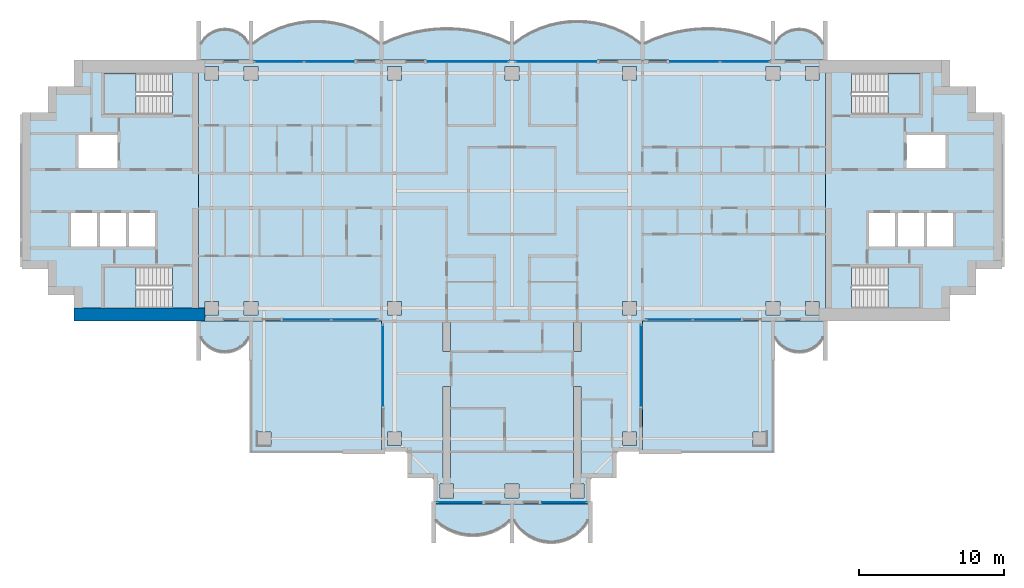
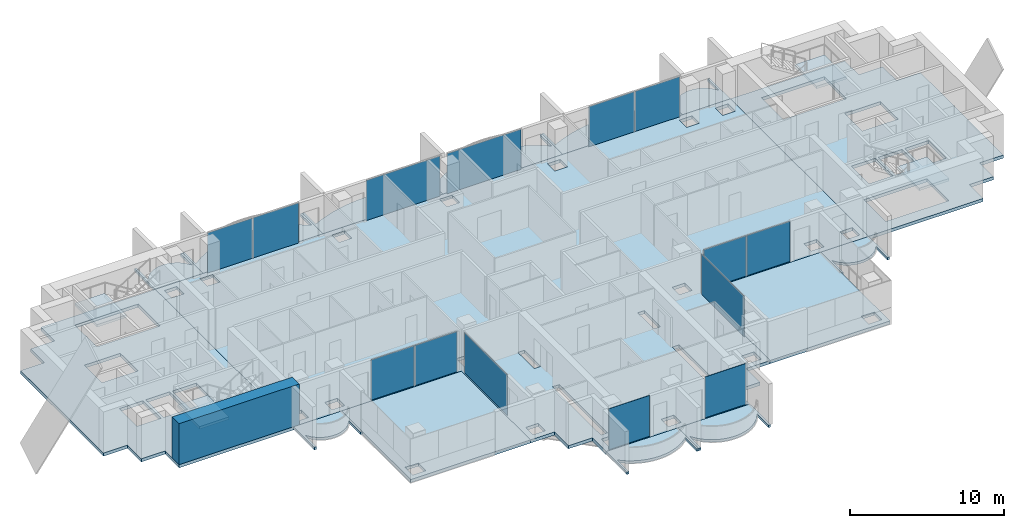
# One storey, part 7 of 17: 19 slabs, 14 plates, 1 wall, 14 elements without a shape of their own.
"""IFC4 building model written with IfcOpenShell, lengths in metres."""

from ifc_helpers import new_model, si_unit, direction, frame, frame_2d, origin, origin_2d, place, context, subcontext, project, spatial, polyline, rectangle, outline, extrude, material, layer, layer_set, type_object, element, aggregate, save


model = new_model("IFC4")

# Units and contexts
model_context = context("Model", 3, precision=1e-05, world=origin(), true_north=direction((0.0, 1.0)))
body_context = subcontext(model_context, "Body", "Model", "MODEL_VIEW")
ifc_project = project(units=[si_unit("LENGTHUNIT", "METRE"), si_unit("AREAUNIT", "SQUARE_METRE"), si_unit("VOLUMEUNIT", "CUBIC_METRE"), si_unit("PLANEANGLEUNIT", "RADIAN"), si_unit("MASSUNIT", "GRAM", prefix="KILO")], contexts=[model_context])

# Site, building, storey
site_placement = place(None, origin())
site = spatial("IfcSite", under=ifc_project, at=site_placement, CompositionType="ELEMENT")
building_placement = place(site_placement, origin())
building = spatial("IfcBuilding", under=site, at=building_placement, Name="Perihelion Cross Residences", CompositionType="ELEMENT")
storey_placement = place(building_placement, frame((0.0, 0.0, 191.10009765625)))
storey = spatial("IfcBuildingStorey", under=building, at=storey_placement, Name="L47", CompositionType="ELEMENT", Elevation=191.10009765625)

# Slabs
ifc_material_1 = material(Name="Concrete C40/50", Category="concrete")
ifc_layer_1 = layer(ifc_material_1, 0.199951171875)
ifc_layer_set_1 = layer_set([ifc_layer_1], Name="Balcony slab 200")
slab_type_1 = type_object("IfcSlabType", Name="Balcony slab 200", PredefinedType="FLOOR", material=ifc_layer_set_1)
slab_1_placement = place(storey_placement, frame((0.0, 0.0, -0.2001953125)))
element("IfcSlab", 1, at=slab_1_placement, inside=storey, type_object=slab_type_1, Name="Slab BK1 L47 east side north bay 1 balcony", PredefinedType="FLOOR", context=body_context, shape_type="SweptSolid", body=[
    extrude(outline(polyline([(21.60009765625, 9.0), (18.0, 9.0), (18.0, 11.699951171875), (18.14990234375, 11.699951171875), (18.14990234375, 10.199951171875), (18.425048828125, 10.568603515625), (18.699951171875, 10.806396484375), (18.97509765625, 10.96875), (19.25, 11.07568359375), (19.52490234375, 11.136962890625), (19.800048828125, 11.156982421875), (20.074951171875, 11.136962890625), (20.35009765625, 11.07568359375), (20.625, 10.96875), (20.89990234375, 10.806396484375), (21.175048828125, 10.568603515625), (21.449951171875, 10.199951171875), (21.449951171875, 11.699951171875), (21.60009765625, 11.699951171875), (21.60009765625, 9.0)])), origin(), (0.0, 0.0, 1.0), 0.2001953125),
])
slab_2_placement = place(storey_placement, frame((0.0, 0.0, -0.2001953125)))
element("IfcSlab", 2, at=slab_2_placement, inside=storey, type_object=slab_type_1, Name="Slab BK1 L47 east side north bay 2 balcony", PredefinedType="FLOOR", context=body_context, shape_type="SweptSolid", body=[
    extrude(outline(polyline([(18.0, 9.0), (9.0, 9.0), (9.0, 11.699951171875), (9.14990234375, 11.699951171875), (9.14990234375, 10.199951171875), (9.875, 10.51708984375), (10.60009765625, 10.7685546875), (11.324951171875, 10.959716796875), (12.050048828125, 11.093994140625), (12.77490234375, 11.173583984375), (13.5, 11.199951171875), (14.22509765625, 11.173583984375), (14.949951171875, 11.093994140625), (15.675048828125, 10.959716796875), (16.39990234375, 10.7685546875), (17.125, 10.51708984375), (17.85009765625, 10.199951171875), (17.85009765625, 11.699951171875), (18.0, 11.699951171875), (18.0, 9.0)])), origin(), (0.0, 0.0, 1.0), 0.2001953125),
])
slab_3_placement = place(storey_placement, frame((0.0, 0.0, -0.2001953125)))
element("IfcSlab", 3, at=slab_3_placement, inside=storey, type_object=slab_type_1, Name="Slab BK1 L47 north side east bay 1 balcony", PredefinedType="FLOOR", context=body_context, shape_type="SweptSolid", body=[
    extrude(outline(polyline([(9.0, 9.0), (0.0, 9.0), (0.0, 11.699951171875), (0.14990234375, 11.699951171875), (0.14990234375, 10.199951171875), (0.771484375, 10.634765625), (1.392822265625, 10.979248046875), (2.014404296875, 11.247802734375), (2.6357421875, 11.44921875), (3.257080078125, 11.589599609375), (3.878662109375, 11.672607421875), (4.5, 11.699951171875), (5.121337890625, 11.672607421875), (5.742919921875, 11.589599609375), (6.3642578125, 11.44921875), (6.985595703125, 11.247802734375), (7.607177734375, 10.979248046875), (8.228515625, 10.634765625), (8.85009765625, 10.199951171875), (8.85009765625, 11.699951171875), (9.0, 11.699951171875), (9.0, 9.0)])), origin(), (0.0, 0.0, 1.0), 0.2001953125),
])
slab_4_placement = place(storey_placement, frame((0.0, 0.0, -0.2001953125)))
element("IfcSlab", 4, at=slab_4_placement, inside=storey, type_object=slab_type_1, Name="Slab BK1 L47 north side east bay 2 balcony", PredefinedType="FLOOR", context=body_context, shape_type="SweptSolid", body=[
    extrude(outline(polyline([(0.0, 9.0), (-9.0, 9.0), (-9.0, 11.699951171875), (-8.85009765625, 11.699951171875), (-8.85009765625, 10.199951171875), (-8.125, 10.51708984375), (-7.39990234375, 10.7685546875), (-6.675048828125, 10.959716796875), (-5.949951171875, 11.093994140625), (-5.22509765625, 11.173583984375), (-4.5, 11.199951171875), (-3.77490234375, 11.173583984375), (-3.050048828125, 11.093994140625), (-2.324951171875, 10.959716796875), (-1.60009765625, 10.7685546875), (-0.875, 10.51708984375), (-0.14990234375, 10.199951171875), (-0.14990234375, 11.699951171875), (0.0, 11.699951171875), (0.0, 9.0)])), origin(), (0.0, 0.0, 1.0), 0.2001953125),
])
slab_5_placement = place(storey_placement, frame((0.0, 0.0, -0.2001953125)))
element("IfcSlab", 5, at=slab_5_placement, inside=storey, type_object=slab_type_1, Name="Slab BK1 L47 west side north bay 1 balcony", PredefinedType="FLOOR", context=body_context, shape_type="SweptSolid", body=[
    extrude(outline(polyline([(-9.0, 9.0), (-18.0, 9.0), (-18.0, 11.699951171875), (-17.85009765625, 11.699951171875), (-17.85009765625, 10.199951171875), (-17.228515625, 10.634765625), (-16.607177734375, 10.979248046875), (-15.985595703125, 11.247802734375), (-15.3642578125, 11.44921875), (-14.742919921875, 11.589599609375), (-14.121337890625, 11.672607421875), (-13.5, 11.699951171875), (-12.878662109375, 11.672607421875), (-12.257080078125, 11.589599609375), (-11.6357421875, 11.44921875), (-11.014404296875, 11.247802734375), (-10.392822265625, 10.979248046875), (-9.771484375, 10.634765625), (-9.14990234375, 10.199951171875), (-9.14990234375, 11.699951171875), (-9.0, 11.699951171875), (-9.0, 9.0)])), origin(), (0.0, 0.0, 1.0), 0.2001953125),
])
slab_6_placement = place(storey_placement, frame((0.0, 0.0, -0.2001953125)))
element("IfcSlab", 6, at=slab_6_placement, inside=storey, type_object=slab_type_1, Name="Slab BK1 L47 west side north bay 2 balcony", PredefinedType="FLOOR", context=body_context, shape_type="SweptSolid", body=[
    extrude(outline(polyline([(-18.0, 9.0), (-21.60009765625, 9.0), (-21.60009765625, 11.699951171875), (-21.449951171875, 11.699951171875), (-21.449951171875, 10.199951171875), (-21.175048828125, 10.568603515625), (-20.89990234375, 10.806396484375), (-20.625, 10.96875), (-20.35009765625, 11.07568359375), (-20.074951171875, 11.136962890625), (-19.800048828125, 11.156982421875), (-19.52490234375, 11.136962890625), (-19.25, 11.07568359375), (-18.97509765625, 10.96875), (-18.699951171875, 10.806396484375), (-18.425048828125, 10.568603515625), (-18.14990234375, 10.199951171875), (-18.14990234375, 11.699951171875), (-18.0, 11.699951171875), (-18.0, 9.0)])), origin(), (0.0, 0.0, 1.0), 0.2001953125),
])
slab_7_placement = place(storey_placement, frame((0.0, 0.0, -0.2001953125)))
element("IfcSlab", 7, at=slab_7_placement, inside=storey, type_object=slab_type_1, Name="Slab BK1 L47 west side south bay 1 balcony", PredefinedType="FLOOR", context=body_context, shape_type="SweptSolid", body=[
    extrude(outline(polyline([(-21.60009765625, -9.0), (-18.0, -9.0), (-18.0, -11.699951171875), (-18.14990234375, -11.699951171875), (-18.14990234375, -10.199951171875), (-18.425048828125, -10.568603515625), (-18.699951171875, -10.806396484375), (-18.97509765625, -10.96875), (-19.25, -11.07568359375), (-19.52490234375, -11.136962890625), (-19.800048828125, -11.156982421875), (-20.074951171875, -11.136962890625), (-20.35009765625, -11.07568359375), (-20.625, -10.96875), (-20.89990234375, -10.806396484375), (-21.175048828125, -10.568603515625), (-21.449951171875, -10.199951171875), (-21.449951171875, -11.699951171875), (-21.60009765625, -11.699951171875), (-21.60009765625, -9.0)])), origin(), (0.0, 0.0, 1.0), 0.2001953125),
])
slab_8_placement = place(storey_placement, frame((0.0, 0.0, -0.2001953125)))
element("IfcSlab", 8, at=slab_8_placement, inside=storey, type_object=slab_type_1, Name="Slab BK1 L47 south tip south bay 1 balcony", PredefinedType="FLOOR", context=body_context, shape_type="SweptSolid", body=[
    extrude(outline(polyline([(-5.39990234375, -21.60009765625), (0.0, -21.60009765625), (0.0, -24.300048828125), (-0.14990234375, -24.300048828125), (-0.14990234375, -22.800048828125), (-0.574951171875, -23.14013671875), (-1.0, -23.392578125), (-1.425048828125, -23.57666015625), (-1.85009765625, -23.702392578125), (-2.27490234375, -23.77587890625), (-2.699951171875, -23.800048828125), (-3.125, -23.77587890625), (-3.550048828125, -23.702392578125), (-3.97509765625, -23.57666015625), (-4.39990234375, -23.392578125), (-4.824951171875, -23.14013671875), (-5.25, -22.800048828125), (-5.25, -24.300048828125), (-5.39990234375, -24.300048828125), (-5.39990234375, -21.60009765625)])), origin(), (0.0, 0.0, 1.0), 0.2001953125),
])
slab_9_placement = place(storey_placement, frame((0.0, 0.0, -0.2001953125)))
element("IfcSlab", 9, at=slab_9_placement, inside=storey, type_object=slab_type_1, Name="Slab BK1 L47 south tip south bay 2 balcony", PredefinedType="FLOOR", context=body_context, shape_type="SweptSolid", body=[
    extrude(outline(polyline([(0.0, -21.60009765625), (5.39990234375, -21.60009765625), (5.39990234375, -24.300048828125), (5.25, -24.300048828125), (5.25, -22.800048828125), (4.909912109375, -23.27685546875), (4.570068359375, -23.60693359375), (4.22998046875, -23.84912109375), (3.889892578125, -24.027099609375), (3.550048828125, -24.1533203125), (3.2099609375, -24.234375), (2.8701171875, -24.274169921875), (2.530029296875, -24.274169921875), (2.18994140625, -24.234375), (1.85009765625, -24.1533203125), (1.510009765625, -24.027099609375), (1.169921875, -23.84912109375), (0.830078125, -23.60693359375), (0.489990234375, -23.27685546875), (0.14990234375, -22.800048828125), (0.14990234375, -24.300048828125), (0.0, -24.300048828125), (0.0, -21.60009765625)])), origin(), (0.0, 0.0, 1.0), 0.2001953125),
])
slab_10_placement = place(storey_placement, frame((0.0, 0.0, -0.2001953125)))
element("IfcSlab", 10, at=slab_10_placement, inside=storey, type_object=slab_type_1, Name="Slab BK1 L47 east side south bay 2 balcony", PredefinedType="FLOOR", context=body_context, shape_type="SweptSolid", body=[
    extrude(outline(polyline([(18.0, -9.0), (21.60009765625, -9.0), (21.60009765625, -11.699951171875), (21.449951171875, -11.699951171875), (21.449951171875, -10.199951171875), (21.175048828125, -10.568603515625), (20.89990234375, -10.806396484375), (20.625, -10.96875), (20.35009765625, -11.07568359375), (20.074951171875, -11.136962890625), (19.800048828125, -11.156982421875), (19.52490234375, -11.136962890625), (19.25, -11.07568359375), (18.97509765625, -10.96875), (18.699951171875, -10.806396484375), (18.425048828125, -10.568603515625), (18.14990234375, -10.199951171875), (18.14990234375, -11.699951171875), (18.0, -11.699951171875), (18.0, -9.0)])), origin(), (0.0, 0.0, 1.0), 0.2001953125),
])

# Curtain wall, plates
ifc_material_2 = material(Name="Bronze anodised aluminium, tinted glazing", Category="aluminium")
curtain_wall_type = type_object("IfcCurtainWallType", Name="CW1", PredefinedType="NOTDEFINED", material=ifc_material_2)
curtain_wall_1_placement = place(storey_placement, origin())
curtain_wall_1 = element("IfcCurtainWall", 11, at=curtain_wall_1_placement, inside=storey, type_object=curtain_wall_type, Name="Curtain wall CW1 L47 east side north bay 2", PredefinedType="NOTDEFINED")
ifc_material_3 = material(Name="Tinted laminated glass", Category="glass")
ifc_layer_2 = layer(ifc_material_3, 0.028076171875)
ifc_layer_set_2 = layer_set([ifc_layer_2], Name="CW1 panel")
plate_type = type_object("IfcPlateType", Name="CW1 panel", PredefinedType="CURTAIN_PANEL", material=ifc_layer_set_2)
plate_1_placement = place(storey_placement, frame((16.06005859375, 8.89990234375, 0.0), z_axis=(0.0, 0.0, 1.0), x_axis=(-1.0, 0.0, 0.0)))
plate_1 = element("IfcPlate", 12, at=plate_1_placement, type_object=plate_type, Name="CW1 panel 1", PredefinedType="CURTAIN_PANEL", context=body_context, shape_type="SweptSolid", body=[
    extrude(rectangle(XDim=3.360107421875, YDim=0.028076171875, at=origin_2d()), origin(), (0.0, 0.0, 1.0), 3.18994140625),
])
plate_2_placement = place(storey_placement, frame((12.610107421875, 8.89990234375, 0.0), z_axis=(0.0, 0.0, 1.0), x_axis=(-1.0, 0.0, 0.0)))
plate_2 = element("IfcPlate", 13, at=plate_2_placement, type_object=plate_type, Name="CW1 panel 2", PredefinedType="CURTAIN_PANEL", context=body_context, shape_type="SweptSolid", body=[
    extrude(rectangle(XDim=3.419921875, YDim=0.028076171875, at=origin_2d()), origin(), (0.0, 0.0, 1.0), 3.18994140625),
])
aggregate(curtain_wall_1, [plate_1, plate_2])

# Curtain wall, plate
curtain_wall_2_placement = place(storey_placement, origin())
curtain_wall_2 = element("IfcCurtainWall", 14, at=curtain_wall_2_placement, inside=storey, type_object=curtain_wall_type, Name="Curtain wall CW1 L47 north side east bay 1", PredefinedType="NOTDEFINED")
plate_3_placement = place(storey_placement, frame((3.04248046875, 8.89990234375, 0.0), z_axis=(0.0, 0.0, 1.0), x_axis=(-1.0, 0.0, 0.0)))
plate_3 = element("IfcPlate", 15, at=plate_3_placement, type_object=plate_type, Name="CW1 panel 1", PredefinedType="CURTAIN_PANEL", context=body_context, shape_type="SweptSolid", body=[
    extrude(rectangle(XDim=5.56494140625, YDim=0.028076171875, at=origin_2d()), origin(), (0.0, 0.0, 1.0), 3.18994140625),
])
aggregate(curtain_wall_2, [plate_3])

curtain_wall_3_placement = place(storey_placement, origin())
curtain_wall_3 = element("IfcCurtainWall", 16, at=curtain_wall_3_placement, inside=storey, type_object=curtain_wall_type, Name="Curtain wall CW1 L47 north side east bay 2", PredefinedType="NOTDEFINED")
plate_4_placement = place(storey_placement, frame((-3.04248046875, 8.89990234375, 0.0), z_axis=(0.0, 0.0, 1.0), x_axis=(-1.0, 0.0, 0.0)))
plate_4 = element("IfcPlate", 17, at=plate_4_placement, type_object=plate_type, Name="CW1 panel 1", PredefinedType="CURTAIN_PANEL", context=body_context, shape_type="SweptSolid", body=[
    extrude(rectangle(XDim=5.56494140625, YDim=0.028076171875, at=origin_2d()), origin(), (0.0, 0.0, 1.0), 3.18994140625),
])
aggregate(curtain_wall_3, [plate_4])

# Curtain wall, plates
curtain_wall_4_placement = place(storey_placement, origin())
curtain_wall_4 = element("IfcCurtainWall", 18, at=curtain_wall_4_placement, inside=storey, type_object=curtain_wall_type, Name="Curtain wall CW1 L47 west side north bay 1", PredefinedType="NOTDEFINED")
plate_5_placement = place(storey_placement, frame((-12.610107421875, 8.89990234375, 0.0), z_axis=(0.0, 0.0, 1.0), x_axis=(-1.0, 0.0, 0.0)))
plate_5 = element("IfcPlate", 19, at=plate_5_placement, type_object=plate_type, Name="CW1 panel 1", PredefinedType="CURTAIN_PANEL", context=body_context, shape_type="SweptSolid", body=[
    extrude(rectangle(XDim=3.419921875, YDim=0.028076171875, at=origin_2d()), origin(), (0.0, 0.0, 1.0), 3.18994140625),
])
plate_6_placement = place(storey_placement, frame((-16.06005859375, 8.89990234375, 0.0), z_axis=(0.0, 0.0, 1.0), x_axis=(-1.0, 0.0, 0.0)))
plate_6 = element("IfcPlate", 20, at=plate_6_placement, type_object=plate_type, Name="CW1 panel 2", PredefinedType="CURTAIN_PANEL", context=body_context, shape_type="SweptSolid", body=[
    extrude(rectangle(XDim=3.360107421875, YDim=0.028076171875, at=origin_2d()), origin(), (0.0, 0.0, 1.0), 3.18994140625),
])
aggregate(curtain_wall_4, [plate_5, plate_6])

curtain_wall_5_placement = place(storey_placement, origin())
curtain_wall_5 = element("IfcCurtainWall", 21, at=curtain_wall_5_placement, inside=storey, type_object=curtain_wall_type, Name="Curtain wall CW1 L47 west side south bay 2", PredefinedType="NOTDEFINED")
plate_7_placement = place(storey_placement, frame((-14.108642578125, -8.89990234375, 0.0), z_axis=(0.0, 0.0, 1.0), x_axis=(1.0, 0.0, 0.0)))
plate_7 = element("IfcPlate", 22, at=plate_7_placement, type_object=plate_type, Name="CW1 panel 1", PredefinedType="CURTAIN_PANEL", context=body_context, shape_type="SweptSolid", body=[
    extrude(rectangle(XDim=3.232421875, YDim=0.028076171875, at=origin_2d()), origin(), (0.0, 0.0, 1.0), 3.18994140625),
])
plate_8_placement = place(storey_placement, frame((-10.84619140625, -8.89990234375, 0.0), z_axis=(0.0, 0.0, 1.0), x_axis=(1.0, 0.0, 0.0)))
plate_8 = element("IfcPlate", 23, at=plate_8_placement, type_object=plate_type, Name="CW1 panel 2", PredefinedType="CURTAIN_PANEL", context=body_context, shape_type="SweptSolid", body=[
    extrude(rectangle(XDim=3.172607421875, YDim=0.028076171875, at=origin_2d()), origin(), (0.0, 0.0, 1.0), 3.18994140625),
])
aggregate(curtain_wall_5, [plate_7, plate_8])

# Curtain wall, plate
curtain_wall_6_placement = place(storey_placement, origin())
curtain_wall_6 = element("IfcCurtainWall", 24, at=curtain_wall_6_placement, inside=storey, type_object=curtain_wall_type, Name="Curtain wall CW1 L47 south side west bay 1", PredefinedType="NOTDEFINED")
plate_9_placement = place(storey_placement, frame((-8.89990234375, -12.04248046875, 0.0), z_axis=(0.0, 0.0, 1.0), x_axis=(0.0, -1.0, 0.0)))
plate_9 = element("IfcPlate", 25, at=plate_9_placement, type_object=plate_type, Name="CW1 panel 1", PredefinedType="CURTAIN_PANEL", context=body_context, shape_type="SweptSolid", body=[
    extrude(rectangle(XDim=5.56494140625, YDim=0.028076171875, at=origin_2d()), origin(), (0.0, 0.0, 1.0), 3.18994140625),
])
aggregate(curtain_wall_6, [plate_9])

curtain_wall_7_placement = place(storey_placement, origin())
curtain_wall_7 = element("IfcCurtainWall", 26, at=curtain_wall_7_placement, inside=storey, type_object=curtain_wall_type, Name="Curtain wall CW1 L47 south tip south bay 1", PredefinedType="NOTDEFINED")
plate_10_placement = place(storey_placement, frame((-3.607421875, -21.5, 0.0), z_axis=(0.0, 0.0, 1.0), x_axis=(1.0, 0.0, 0.0)))
plate_10 = element("IfcPlate", 27, at=plate_10_placement, type_object=plate_type, Name="CW1 panel 1", PredefinedType="CURTAIN_PANEL", context=body_context, shape_type="SweptSolid", body=[
    extrude(rectangle(XDim=3.06494140625, YDim=0.028076171875, at=origin_2d()), origin(), (0.0, 0.0, 1.0), 3.25),
])
aggregate(curtain_wall_7, [plate_10])

curtain_wall_8_placement = place(storey_placement, origin())
curtain_wall_8 = element("IfcCurtainWall", 28, at=curtain_wall_8_placement, inside=storey, type_object=curtain_wall_type, Name="Curtain wall CW1 L47 south tip south bay 2", PredefinedType="NOTDEFINED")
plate_11_placement = place(storey_placement, frame((3.607421875, -21.5, 0.0), z_axis=(0.0, 0.0, 1.0), x_axis=(1.0, 0.0, 0.0)))
plate_11 = element("IfcPlate", 29, at=plate_11_placement, type_object=plate_type, Name="CW1 panel 1", PredefinedType="CURTAIN_PANEL", context=body_context, shape_type="SweptSolid", body=[
    extrude(rectangle(XDim=3.06494140625, YDim=0.028076171875, at=origin_2d()), origin(), (0.0, 0.0, 1.0), 3.25),
])
aggregate(curtain_wall_8, [plate_11])

curtain_wall_9_placement = place(storey_placement, origin())
curtain_wall_9 = element("IfcCurtainWall", 30, at=curtain_wall_9_placement, inside=storey, type_object=curtain_wall_type, Name="Curtain wall CW1 L47 south side east bay 1", PredefinedType="NOTDEFINED")
plate_12_placement = place(storey_placement, frame((8.89990234375, -12.04248046875, 0.0), z_axis=(0.0, 0.0, 1.0), x_axis=(0.0, 1.0, 0.0)))
plate_12 = element("IfcPlate", 31, at=plate_12_placement, type_object=plate_type, Name="CW1 panel 1", PredefinedType="CURTAIN_PANEL", context=body_context, shape_type="SweptSolid", body=[
    extrude(rectangle(XDim=5.56494140625, YDim=0.028076171875, at=origin_2d()), origin(), (0.0, 0.0, 1.0), 3.18994140625),
])
aggregate(curtain_wall_9, [plate_12])

# Curtain wall, plates
curtain_wall_10_placement = place(storey_placement, origin())
curtain_wall_10 = element("IfcCurtainWall", 32, at=curtain_wall_10_placement, inside=storey, type_object=curtain_wall_type, Name="Curtain wall CW1 L47 east side south bay 1", PredefinedType="NOTDEFINED")
plate_13_placement = place(storey_placement, frame((10.84619140625, -8.89990234375, 0.0), z_axis=(0.0, 0.0, 1.0), x_axis=(1.0, 0.0, 0.0)))
plate_13 = element("IfcPlate", 33, at=plate_13_placement, type_object=plate_type, Name="CW1 panel 1", PredefinedType="CURTAIN_PANEL", context=body_context, shape_type="SweptSolid", body=[
    extrude(rectangle(XDim=3.172607421875, YDim=0.028076171875, at=origin_2d()), origin(), (0.0, 0.0, 1.0), 3.18994140625),
])
plate_14_placement = place(storey_placement, frame((14.108642578125, -8.89990234375, 0.0), z_axis=(0.0, 0.0, 1.0), x_axis=(1.0, 0.0, 0.0)))
plate_14 = element("IfcPlate", 34, at=plate_14_placement, type_object=plate_type, Name="CW1 panel 2", PredefinedType="CURTAIN_PANEL", context=body_context, shape_type="SweptSolid", body=[
    extrude(rectangle(XDim=3.232421875, YDim=0.028076171875, at=origin_2d()), origin(), (0.0, 0.0, 1.0), 3.18994140625),
])
aggregate(curtain_wall_10, [plate_13, plate_14])

# Slabs
ifc_material_4 = material(Name="Concrete C40/50", Category="concrete")
ifc_layer_3 = layer(ifc_material_4, 0.25)
ifc_layer_set_3 = layer_set([ifc_layer_3], Name="Core floor slab 250")
slab_type_2 = type_object("IfcSlabType", Name="Core floor slab 250", PredefinedType="FLOOR", material=ifc_layer_set_3)
slab_11_placement = place(storey_placement, frame((0.0, 0.0, -0.25)))
element("IfcSlab", 35, at=slab_11_placement, inside=storey, type_object=slab_type_2, Name="East core floor slab", PredefinedType="FLOOR", context=body_context, shape_type="SweptSolid", body=[
    extrude(outline(polyline([(30.199951171875, 7.199951171875), (32.0, 7.199951171875), (32.0, 5.39990234375), (33.800048828125, 5.39990234375), (33.800048828125, -5.39990234375), (32.0, -5.39990234375), (32.0, -7.199951171875), (30.199951171875, -7.199951171875), (30.199951171875, -9.0), (21.60009765625, -9.0), (21.60009765625, 9.0), (30.199951171875, 9.0), (30.199951171875, 7.199951171875)]), holes=[polyline([(28.14990234375, -8.10009765625), (28.14990234375, -5.25), (23.405029296875, -5.25), (23.405029296875, -8.10009765625), (28.14990234375, -8.10009765625)]), polyline([(24.60009765625, -1.550048828125), (24.60009765625, -3.85009765625), (26.39990234375, -3.85009765625), (26.39990234375, -1.550048828125), (24.60009765625, -1.550048828125)]), polyline([(26.60009765625, -1.550048828125), (26.60009765625, -3.85009765625), (28.39990234375, -3.85009765625), (28.39990234375, -1.550048828125), (26.60009765625, -1.550048828125)]), polyline([(28.60009765625, -3.85009765625), (30.39990234375, -3.85009765625), (30.39990234375, -1.550048828125), (28.60009765625, -1.550048828125), (28.60009765625, -3.85009765625)]), polyline([(27.199951171875, 3.85009765625), (27.199951171875, 1.550048828125), (29.89990234375, 1.550048828125), (29.89990234375, 3.85009765625), (27.199951171875, 3.85009765625)]), polyline([(23.405029296875, 5.25), (28.14990234375, 5.25), (28.14990234375, 8.10009765625), (23.405029296875, 8.10009765625), (23.405029296875, 5.25)])]), origin(), (0.0, 0.0, 1.0), 0.25),
])
slab_12_placement = place(storey_placement, frame((0.0, 0.0, -0.25)))
element("IfcSlab", 36, at=slab_12_placement, inside=storey, type_object=slab_type_2, Name="West core floor slab", PredefinedType="FLOOR", context=body_context, shape_type="SweptSolid", body=[
    extrude(outline(polyline([(-30.199951171875, 7.199951171875), (-32.0, 7.199951171875), (-32.0, 5.39990234375), (-33.800048828125, 5.39990234375), (-33.800048828125, -5.39990234375), (-32.0, -5.39990234375), (-32.0, -7.199951171875), (-30.199951171875, -7.199951171875), (-30.199951171875, -9.0), (-21.60009765625, -9.0), (-21.60009765625, 9.0), (-30.199951171875, 9.0), (-30.199951171875, 7.199951171875)]), holes=[polyline([(-28.14990234375, -8.10009765625), (-28.14990234375, -5.25), (-23.405029296875, -5.25), (-23.405029296875, -8.10009765625), (-28.14990234375, -8.10009765625)]), polyline([(-24.60009765625, -1.550048828125), (-24.60009765625, -3.85009765625), (-26.39990234375, -3.85009765625), (-26.39990234375, -1.550048828125), (-24.60009765625, -1.550048828125)]), polyline([(-26.60009765625, -1.550048828125), (-26.60009765625, -3.85009765625), (-28.39990234375, -3.85009765625), (-28.39990234375, -1.550048828125), (-26.60009765625, -1.550048828125)]), polyline([(-28.60009765625, -3.85009765625), (-30.39990234375, -3.85009765625), (-30.39990234375, -1.550048828125), (-28.60009765625, -1.550048828125), (-28.60009765625, -3.85009765625)]), polyline([(-27.199951171875, 3.85009765625), (-27.199951171875, 1.550048828125), (-29.89990234375, 1.550048828125), (-29.89990234375, 3.85009765625), (-27.199951171875, 3.85009765625)]), polyline([(-23.405029296875, 5.25), (-28.14990234375, 5.25), (-28.14990234375, 8.10009765625), (-23.405029296875, 8.10009765625), (-23.405029296875, 5.25)])]), origin(), (0.0, 0.0, 1.0), 0.25),
])
ifc_material_5 = material(Name="Concrete C40/50", Category="concrete")
ifc_layer_4 = layer(ifc_material_5, 0.25)
ifc_layer_set_4 = layer_set([ifc_layer_4], Name="Corner terrace slab")
slab_type_3 = type_object("IfcSlabType", Name="Corner terrace slab", PredefinedType="FLOOR", material=ifc_layer_set_4)
slab_13_placement = place(storey_placement, frame((0.0, 0.0, -0.25)))
element("IfcSlab", 37, at=slab_13_placement, inside=storey, type_object=slab_type_3, Name="Slab BK2 L47 pocket south-west", PredefinedType="FLOOR", context=body_context, shape_type="SweptSolid", body=[
    extrude(outline(polyline([(-9.0, -18.0), (-9.0, -9.0), (-18.0, -9.0), (-18.0, -18.0), (-9.0, -18.0)]), holes=[polyline([(-16.625, -17.614990234375), (-17.614990234375, -17.614990234375), (-17.614990234375, -16.5849609375), (-17.574951171875, -16.5849609375), (-17.574951171875, -16.625), (-16.625, -16.625), (-16.625, -17.614990234375)])]), origin(), (0.0, 0.0, 1.0), 0.25),
])
slab_14_placement = place(storey_placement, frame((0.0, 0.0, -0.25)))
element("IfcSlab", 38, at=slab_14_placement, inside=storey, type_object=slab_type_3, Name="Slab BK2 L47 pocket south-east", PredefinedType="FLOOR", context=body_context, shape_type="SweptSolid", body=[
    extrude(outline(polyline([(18.0, -18.0), (18.0, -9.0), (9.0, -9.0), (9.0, -18.0), (18.0, -18.0)]), holes=[polyline([(16.625, -17.614990234375), (16.625, -16.625), (17.574951171875, -16.625), (17.574951171875, -16.5849609375), (17.614990234375, -16.5849609375), (17.614990234375, -17.614990234375), (16.625, -17.614990234375)])]), origin(), (0.0, 0.0, 1.0), 0.25),
])

# Stair, slab
ifc_material_6 = material(Name="Concrete C40/50", Category="concrete")
stair_type = type_object("IfcStairType", Name="Exit stair, half-turn", PredefinedType="HALF_TURN_STAIR", material=ifc_material_6)
stair_1_placement = place(storey_placement, origin())
stair_1 = element("IfcStair", 39, at=stair_1_placement, inside=storey, type_object=stair_type, Name="L47 East core exit stair 1", PredefinedType="HALF_TURN_STAIR")
ifc_material_7 = material(Name="Concrete C40/50", Category="concrete")
ifc_layer_5 = layer(ifc_material_7, 0.199951171875)
ifc_layer_set_5 = layer_set([ifc_layer_5], Name="Exit stair landing 200")
slab_type_4 = type_object("IfcSlabType", Name="Exit stair landing 200", PredefinedType="LANDING", material=ifc_layer_set_5)
slab_15_placement = place(storey_placement, frame((0.0, 0.0, 1.5498046875)))
slab_15 = element("IfcSlab", 40, at=slab_15_placement, type_object=slab_type_4, Name="ST-E1 landing 1", PredefinedType="LANDING", context=body_context, shape_type="SweptSolid", body=[
    extrude(outline(polyline([(25.919921875, 5.25), (28.14990234375, 5.25), (28.14990234375, 8.10009765625), (25.919921875, 8.10009765625), (25.919921875, 5.25)])), origin(), (0.0, 0.0, 1.0), 0.2001953125),
])
aggregate(stair_1, [slab_15])

stair_2_placement = place(storey_placement, origin())
stair_2 = element("IfcStair", 41, at=stair_2_placement, inside=storey, type_object=stair_type, Name="L47 East core exit stair 2", PredefinedType="HALF_TURN_STAIR")
slab_16_placement = place(storey_placement, frame((0.0, 0.0, 1.5498046875)))
slab_16 = element("IfcSlab", 42, at=slab_16_placement, type_object=slab_type_4, Name="ST-E2 landing 1", PredefinedType="LANDING", context=body_context, shape_type="SweptSolid", body=[
    extrude(outline(polyline([(25.919921875, -8.10009765625), (28.14990234375, -8.10009765625), (28.14990234375, -5.25), (25.919921875, -5.25), (25.919921875, -8.10009765625)])), origin(), (0.0, 0.0, 1.0), 0.2001953125),
])
aggregate(stair_2, [slab_16])

stair_3_placement = place(storey_placement, origin())
stair_3 = element("IfcStair", 43, at=stair_3_placement, inside=storey, type_object=stair_type, Name="L47 West core exit stair 1", PredefinedType="HALF_TURN_STAIR")
slab_17_placement = place(storey_placement, frame((0.0, 0.0, 1.5498046875)))
slab_17 = element("IfcSlab", 44, at=slab_17_placement, type_object=slab_type_4, Name="ST-W1 landing 1", PredefinedType="LANDING", context=body_context, shape_type="SweptSolid", body=[
    extrude(outline(polyline([(-25.919921875, 8.10009765625), (-28.14990234375, 8.10009765625), (-28.14990234375, 5.25), (-25.919921875, 5.25), (-25.919921875, 8.10009765625)])), origin(), (0.0, 0.0, 1.0), 0.2001953125),
])
aggregate(stair_3, [slab_17])

stair_4_placement = place(storey_placement, origin())
stair_4 = element("IfcStair", 45, at=stair_4_placement, inside=storey, type_object=stair_type, Name="L47 West core exit stair 2", PredefinedType="HALF_TURN_STAIR")
slab_18_placement = place(storey_placement, frame((0.0, 0.0, 1.5498046875)))
slab_18 = element("IfcSlab", 46, at=slab_18_placement, type_object=slab_type_4, Name="ST-W2 landing 1", PredefinedType="LANDING", context=body_context, shape_type="SweptSolid", body=[
    extrude(outline(polyline([(-25.919921875, -5.25), (-28.14990234375, -5.25), (-28.14990234375, -8.10009765625), (-25.919921875, -8.10009765625), (-25.919921875, -5.25)])), origin(), (0.0, 0.0, 1.0), 0.2001953125),
])
aggregate(stair_4, [slab_18])

# Slab
ifc_material_8 = material(Name="Concrete C50/60", Category="concrete")
ifc_layer_6 = layer(ifc_material_8, 0.25)
ifc_layer_set_6 = layer_set([ifc_layer_6], Name="Residential floor post-tensioned slab concrete C50/60")
slab_type_5 = type_object("IfcSlabType", Name="Residential floor post-tensioned slab concrete C50/60", PredefinedType="FLOOR", material=ifc_layer_set_6)
slab_19_placement = place(storey_placement, frame((0.0, 0.0, -0.25)))
element("IfcSlab", 47, at=slab_19_placement, inside=storey, type_object=slab_type_5, Name="Slab SL8 L47 1 no. 1", PredefinedType="FLOOR", context=body_context, shape_type="SweptSolid", body=[
    extrude(outline(polyline([(-9.0, 9.0), (9.0, 9.0), (21.60009765625, 9.0), (21.60009765625, -9.0), (9.0, -9.0), (9.0, -18.0), (7.199951171875, -18.0), (7.199951171875, -19.800048828125), (5.39990234375, -19.800048828125), (5.39990234375, -21.60009765625), (-5.39990234375, -21.60009765625), (-5.39990234375, -19.800048828125), (-7.199951171875, -19.800048828125), (-7.199951171875, -18.0), (-9.0, -18.0), (-9.0, -9.0), (-21.60009765625, -9.0), (-21.60009765625, 9.0), (-9.0, 9.0)]), holes=[polyline([(-4.02490234375, -20.22509765625), (-4.97509765625, -20.22509765625), (-4.97509765625, -21.175048828125), (-4.02490234375, -21.175048828125), (-4.02490234375, -20.22509765625)]), polyline([(0.47509765625, -21.175048828125), (0.47509765625, -20.22509765625), (-0.47509765625, -20.22509765625), (-0.47509765625, -21.175048828125), (0.47509765625, -21.175048828125)]), polyline([(-7.625, -17.574951171875), (-7.625, -16.625), (-8.574951171875, -16.625), (-8.574951171875, -17.574951171875), (-7.625, -17.574951171875)]), polyline([(-4.25, -13.5), (-4.75, -13.5), (-4.75, -19.800048828125), (-4.25, -19.800048828125), (-4.25, -13.5)]), polyline([(-4.25, -11.10009765625), (-4.25, -9.0), (-4.75, -9.0), (-4.75, -11.10009765625), (-4.25, -11.10009765625)]), polyline([(-20.22509765625, -8.574951171875), (-20.22509765625, -7.625), (-21.175048828125, -7.625), (-21.175048828125, -8.574951171875), (-20.22509765625, -8.574951171875)]), polyline([(-17.52490234375, -7.625), (-18.47509765625, -7.625), (-18.47509765625, -8.574951171875), (-17.52490234375, -8.574951171875), (-17.52490234375, -7.625)]), polyline([(-7.625, -8.574951171875), (-7.625, -7.625), (-8.574951171875, -7.625), (-8.574951171875, -8.574951171875), (-7.625, -8.574951171875)]), polyline([(-20.22509765625, 8.574951171875), (-21.175048828125, 8.574951171875), (-21.175048828125, 7.625), (-20.22509765625, 7.625), (-20.22509765625, 8.574951171875)]), polyline([(-17.52490234375, 7.625), (-17.52490234375, 8.574951171875), (-18.47509765625, 8.574951171875), (-18.47509765625, 7.625), (-17.52490234375, 7.625)]), polyline([(-7.625, 7.625), (-7.625, 8.574951171875), (-8.574951171875, 8.574951171875), (-8.574951171875, 7.625), (-7.625, 7.625)]), polyline([(4.97509765625, -20.22509765625), (4.02490234375, -20.22509765625), (4.02490234375, -21.175048828125), (4.97509765625, -21.175048828125), (4.97509765625, -20.22509765625)]), polyline([(8.574951171875, -17.574951171875), (8.574951171875, -16.625), (7.625, -16.625), (7.625, -17.574951171875), (8.574951171875, -17.574951171875)]), polyline([(4.75, -19.800048828125), (4.75, -13.5), (4.25, -13.5), (4.25, -19.800048828125), (4.75, -19.800048828125)]), polyline([(4.75, -9.0), (4.25, -9.0), (4.25, -11.10009765625), (4.75, -11.10009765625), (4.75, -9.0)]), polyline([(8.574951171875, -8.574951171875), (8.574951171875, -7.625), (7.625, -7.625), (7.625, -8.574951171875), (8.574951171875, -8.574951171875)]), polyline([(18.47509765625, -8.574951171875), (18.47509765625, -7.625), (17.52490234375, -7.625), (17.52490234375, -8.574951171875), (18.47509765625, -8.574951171875)]), polyline([(21.175048828125, -7.625), (20.22509765625, -7.625), (20.22509765625, -8.574951171875), (21.175048828125, -8.574951171875), (21.175048828125, -7.625)]), polyline([(0.47509765625, 7.625), (0.47509765625, 8.574951171875), (-0.47509765625, 8.574951171875), (-0.47509765625, 7.625), (0.47509765625, 7.625)]), polyline([(8.574951171875, 8.574951171875), (7.625, 8.574951171875), (7.625, 7.625), (8.574951171875, 7.625), (8.574951171875, 8.574951171875)]), polyline([(18.47509765625, 7.625), (18.47509765625, 8.574951171875), (17.52490234375, 8.574951171875), (17.52490234375, 7.625), (18.47509765625, 7.625)]), polyline([(21.175048828125, 7.625), (21.175048828125, 8.574951171875), (20.22509765625, 8.574951171875), (20.22509765625, 7.625), (21.175048828125, 7.625)])]), origin(), (0.0, 0.0, 1.0), 0.25),
])

# Wall
ifc_material_9 = material(Name="Concrete C60/75", Category="concrete")
ifc_layer_7 = layer(ifc_material_9, 0.89990234375)
ifc_layer_set_7 = layer_set([ifc_layer_7], Name="Core wall, outer 900")
wall_type = type_object("IfcWallType", Name="Core wall, outer 900", PredefinedType="SHEAR", material=ifc_layer_set_7)
wall_placement = place(storey_placement, frame((-30.199951171875, -8.550048828125, 0.0), z_axis=(0.0, 0.0, 1.0), x_axis=(1.0, 0.0, 0.0)))
element("IfcWall", 48, at=wall_placement, inside=storey, type_object=wall_type, Name="West core core wall, outer", PredefinedType="SHEAR", context=body_context, shape_type="SweptSolid", body=[
    extrude(rectangle(XDim=9.02490234375, YDim=0.89990234375, at=frame_2d((4.512451171875, 0.0))), origin(), (0.0, 0.0, 1.0), 3.25),
])

save(model, "model.ifc")
